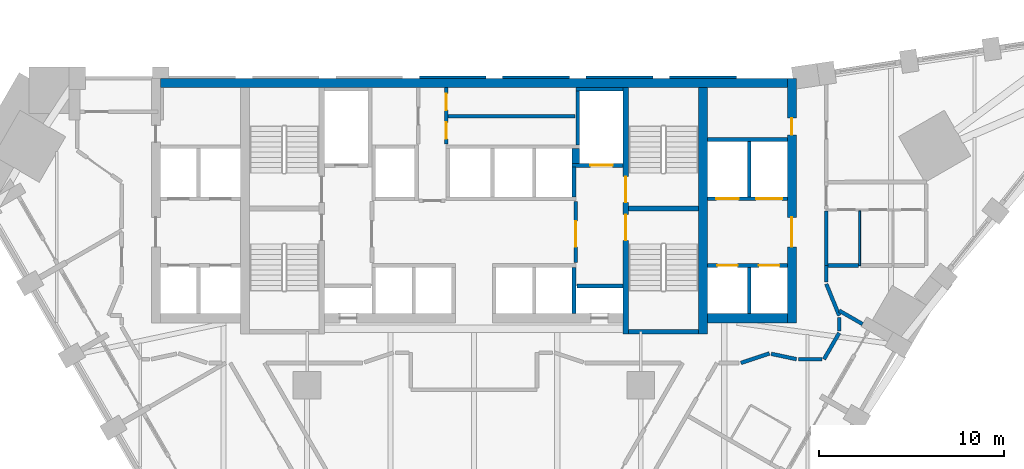
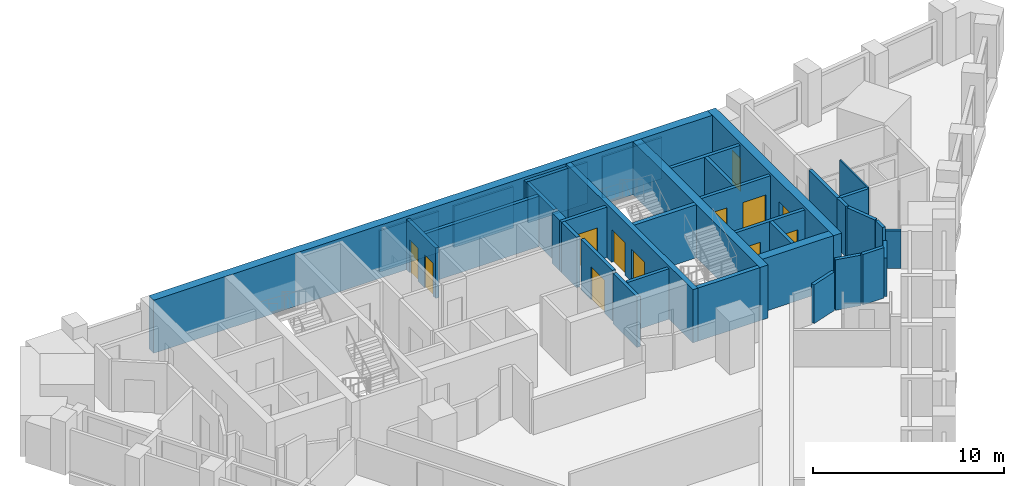
# One storey, part 8 of 11: 37 walls, 12 doors, 12 openings.
"""IFC4 building model written with IfcOpenShell, lengths in metres."""

from ifc_helpers import new_model, si_unit, direction, frame, frame_2d, origin, place, context, subcontext, project, spatial, polyline, rectangle, outline, extrude, material, layer, layer_set, type_object, element, fill, save


model = new_model("IFC4")

# Units and contexts
model_context = context("Model", 3, precision=1e-05, world=origin(), true_north=direction((0.0, 1.0)))
body_context = subcontext(model_context, "Body", "Model", "MODEL_VIEW")
ifc_project = project(units=[si_unit("LENGTHUNIT", "METRE"), si_unit("AREAUNIT", "SQUARE_METRE"), si_unit("VOLUMEUNIT", "CUBIC_METRE"), si_unit("PLANEANGLEUNIT", "RADIAN"), si_unit("MASSUNIT", "GRAM", prefix="KILO")], contexts=[model_context])

# Site, building, storey
site_placement = place(None, origin())
site = spatial("IfcSite", under=ifc_project, at=site_placement, CompositionType="ELEMENT")
building_placement = place(site_placement, origin())
building = spatial("IfcBuilding", under=site, at=building_placement, Name="Calabash Gate Tower", CompositionType="ELEMENT")
storey_placement = place(building_placement, frame((0.0, 0.0, 122.39990234375)))
storey = spatial("IfcBuildingStorey", under=building, at=storey_placement, Name="L28", CompositionType="ELEMENT", Elevation=122.39990234375)

# Walls
ifc_material_1 = material(Name="Concrete C80/95", Category="concrete")
ifc_layer_1 = layer(ifc_material_1, 0.25)
ifc_layer_set_1 = layer_set([ifc_layer_1], Name="Core wall 250 Concrete C80/95")
wall_type_1 = type_object("IfcWallType", Name="Core wall 250 Concrete C80/95", PredefinedType="SHEAR", material=ifc_layer_set_1)
for number, where, z_axis, x_axis, name in (
    (1, (8.35009765625, 12.027587890625, 0.0), (0.0, 0.0, 1.0), (1.0, 0.0, 0.0), "Core wall Z2-MIDE L28"),
    (2, (8.35009765625, 5.377685546875, 0.0), (0.0, 0.0, 1.0), (1.0, 0.0, 0.0), "Core wall Z2-SSE L28"),
):
    element("IfcWall", number, at=place(storey_placement, frame(where, z_axis=z_axis, x_axis=x_axis)), inside=storey, type_object=wall_type_1, Name=name, PredefinedType="SHEAR", context=body_context, shape_type="SweptSolid", body=[
        extrude(rectangle(XDim=3.75, YDim=0.25, at=frame_2d((1.875, 0.0))), origin(), (0.0, 0.0, 1.0), 3.400146484375),
    ])

# Wall, openings, doors
ifc_material_2 = material(Name="Concrete C80/95", Category="concrete")
ifc_layer_2 = layer(ifc_material_2, 0.300048828125)
ifc_layer_set_2 = layer_set([ifc_layer_2], Name="Core wall 300 Concrete C80/95")
wall_type_2 = type_object("IfcWallType", Name="Core wall 300 Concrete C80/95", PredefinedType="SHEAR", material=ifc_layer_set_2)
wall_1_placement = place(storey_placement, frame((8.199951171875, 5.252685546875, 0.0), z_axis=(0.0, 0.0, 1.0), x_axis=(0.0, 1.0, 0.0)))
wall_1 = element("IfcWall", 3, at=wall_1_placement, inside=storey, type_object=wall_type_2, Name="Core wall Z2-PARTE L28", PredefinedType="SHEAR", context=body_context, shape_type="SweptSolid", body=[
    extrude(rectangle(XDim=13.2998046875, YDim=0.300048828125, at=frame_2d((6.64990234375, 0.0))), origin(), (0.0, 0.0, 1.0), 3.400146484375),
])
opening_1_placement = place(wall_1_placement, frame((7.10009765625, 0.0, 0.0)))
opening_1 = element("IfcOpeningElement", 4, at=opening_1_placement, cuts=wall_1, Name="Opening H8-015", PredefinedType="OPENING", context=body_context, shape_type="SweptSolid", body=[
    extrude(rectangle(XDim=1.39990234375, YDim=2.10009765625, at=frame_2d((0.699951171875, 1.050048828125))), frame((0.0, 0.159912109375, 0.0), z_axis=(0.0, -1.0, 0.0), x_axis=(1.0, 0.0, 0.0)), (0.0, 0.0, 1.0), 0.320068359375),
])
opening_2_placement = place(wall_1_placement, frame((5.050048828125, 0.0, 0.0)))
opening_2 = element("IfcOpeningElement", 5, at=opening_2_placement, cuts=wall_1, Name="Opening H8-016", PredefinedType="OPENING", context=body_context, shape_type="SweptSolid", body=[
    extrude(rectangle(XDim=1.39990234375, YDim=2.10009765625, at=frame_2d((0.699951171875, 1.050048828125))), frame((0.0, 0.159912109375, 0.0), z_axis=(0.0, -1.0, 0.0), x_axis=(1.0, 0.0, 0.0)), (0.0, 0.0, 1.0), 0.320068359375),
])
ifc_material_3 = material(Name="Steel fire door set with fire-resisting glazing", Category="steel")
door_type_1 = type_object("IfcDoorType", Name="Fire door D05 1400x2100 FD90", OperationType="NOTDEFINED", PredefinedType="DOOR", material=ifc_material_3)
door_1_placement = place(opening_1_placement, origin())
door_1 = element("IfcDoor", 6, at=door_1_placement, inside=storey, type_object=door_type_1, Name="Exit stair door ST3", OperationType="SINGLE_SWING_RIGHT", OverallHeight=2.10009765625, OverallWidth=1.39990234375, PredefinedType="DOOR", context=body_context, shape_type="SweptSolid", body=[
    extrude(rectangle(XDim=1.39990234375, YDim=2.10009765625, at=frame_2d((0.699951171875, 1.050048828125))), frame((0.0, 0.02490234375, 0.0), z_axis=(0.0, -1.0, 0.0), x_axis=(1.0, 0.0, 0.0)), (0.0, 0.0, 1.0), 0.050048828125),
])
fill(opening_1, door_1)
door_2_placement = place(opening_2_placement, origin())
door_2 = element("IfcDoor", 7, at=door_2_placement, inside=storey, type_object=door_type_1, Name="Exit stair door ST4", OperationType="SINGLE_SWING_LEFT", OverallHeight=2.10009765625, OverallWidth=1.39990234375, PredefinedType="DOOR", context=body_context, shape_type="SweptSolid", body=[
    extrude(rectangle(XDim=1.39990234375, YDim=2.10009765625, at=frame_2d((0.699951171875, 1.050048828125))), frame((0.0, 0.02490234375, 0.0), z_axis=(0.0, -1.0, 0.0), x_axis=(1.0, 0.0, 0.0)), (0.0, 0.0, 1.0), 0.050048828125),
])
fill(opening_2, door_2)

# Walls
ifc_material_4 = material(Name="Concrete C80/95", Category="concrete")
ifc_layer_3 = layer(ifc_material_4, 0.5)
ifc_layer_set_3 = layer_set([ifc_layer_3], Name="Core wall 500 Concrete C80/95")
wall_type_3 = type_object("IfcWallType", Name="Core wall 500 Concrete C80/95", PredefinedType="SHEAR", material=ifc_layer_set_3)
wall_2_placement = place(storey_placement, frame((-16.89990234375, 18.802490234375, 0.0), z_axis=(0.0, 0.0, 1.0), x_axis=(1.0, 0.0, 0.0)))
element("IfcWall", 8, at=wall_2_placement, inside=storey, type_object=wall_type_3, Name="Core wall Z2-N L28", PredefinedType="SHEAR", context=body_context, shape_type="SweptSolid", body=[
    extrude(rectangle(XDim=33.7998046875, YDim=0.5, at=frame_2d((16.89990234375, 0.0))), origin(), (0.0, 0.0, 1.0), 3.400146484375),
])
wall_3_placement = place(storey_placement, frame((12.35009765625, 5.252685546875, 0.0), z_axis=(0.0, 0.0, 1.0), x_axis=(0.0, 1.0, 0.0)))
element("IfcWall", 9, at=wall_3_placement, inside=storey, type_object=wall_type_3, Name="Core wall Z2-COLE L28", PredefinedType="SHEAR", context=body_context, shape_type="SweptSolid", body=[
    extrude(rectangle(XDim=13.2998046875, YDim=0.5, at=frame_2d((6.64990234375, 0.0))), origin(), (0.0, 0.0, 1.0), 3.400146484375),
])
wall_4_placement = place(storey_placement, frame((12.60009765625, 6.1025390625, 0.0), z_axis=(0.0, 0.0, 1.0), x_axis=(1.0, 0.0, 0.0)))
element("IfcWall", 10, at=wall_4_placement, inside=storey, type_object=wall_type_3, Name="Core wall Z2-SE L28", PredefinedType="SHEAR", context=body_context, shape_type="SweptSolid", body=[
    extrude(rectangle(XDim=4.2998046875, YDim=0.5, at=frame_2d((2.14990234375, 0.0))), origin(), (0.0, 0.0, 1.0), 3.400146484375),
])

# Wall, openings, doors
wall_5_placement = place(storey_placement, frame((17.14990234375, 5.8525390625, 0.0), z_axis=(0.0, 0.0, 1.0), x_axis=(0.0, 1.0, 0.0)))
wall_5 = element("IfcWall", 11, at=wall_5_placement, inside=storey, type_object=wall_type_3, Name="Core wall Z2-ENDE L28", PredefinedType="SHEAR", context=body_context, shape_type="SweptSolid", body=[
    extrude(rectangle(XDim=13.199951171875, YDim=0.5, at=frame_2d((6.60009765625, 0.0))), origin(), (0.0, 0.0, 1.0), 3.400146484375),
])
opening_3_placement = place(wall_5_placement, frame((4.10009765625, 0.0, 0.0)))
opening_3 = element("IfcOpeningElement", 12, at=opening_3_placement, cuts=wall_5, Name="Opening H8-002", PredefinedType="OPENING", context=body_context, shape_type="SweptSolid", body=[
    extrude(rectangle(XDim=1.60009765625, YDim=2.10009765625, at=frame_2d((0.800048828125, 1.050048828125))), frame((0.0, 0.260009765625, 0.0), z_axis=(0.0, -1.0, 0.0), x_axis=(1.0, 0.0, 0.0)), (0.0, 0.0, 1.0), 0.52001953125),
])
opening_4_placement = place(wall_5_placement, frame((10.14990234375, 0.0, 0.0)))
opening_4 = element("IfcOpeningElement", 13, at=opening_4_placement, cuts=wall_5, Name="Opening H8-001", PredefinedType="OPENING", context=body_context, shape_type="SweptSolid", body=[
    extrude(rectangle(XDim=0.89990234375, YDim=2.10009765625, at=frame_2d((0.449951171875, 1.050048828125))), frame((0.0, 0.260009765625, 0.0), z_axis=(0.0, -1.0, 0.0), x_axis=(1.0, 0.0, 0.0)), (0.0, 0.0, 1.0), 0.52001953125),
])
ifc_material_5 = material(Name="Steel fire door set with fire-resisting glazing", Category="steel")
door_type_2 = type_object("IfcDoorType", Name="Double fire door D08 1600x2100 FD60", OperationType="DOUBLE_DOOR_SINGLE_SWING", PredefinedType="DOOR", material=ifc_material_5)
door_3_placement = place(opening_3_placement, origin())
door_3 = element("IfcDoor", 14, at=door_3_placement, inside=storey, type_object=door_type_2, Name="Low-rise Lift Lobby E door", OperationType="DOUBLE_DOOR_SINGLE_SWING", OverallHeight=2.10009765625, OverallWidth=1.60009765625, PredefinedType="DOOR", context=body_context, shape_type="SweptSolid", body=[
    extrude(rectangle(XDim=1.60009765625, YDim=2.10009765625, at=frame_2d((0.800048828125, 1.050048828125))), frame((0.0, 0.02490234375, 0.0), z_axis=(0.0, -1.0, 0.0), x_axis=(1.0, 0.0, 0.0)), (0.0, 0.0, 1.0), 0.050048828125),
])
fill(opening_3, door_3)
ifc_material_6 = material(Name="Steel fire door set with fire-resisting glazing", Category="steel")
door_type_3 = type_object("IfcDoorType", Name="Fire door D06 900x2100 FD60", OperationType="NOTDEFINED", PredefinedType="DOOR", material=ifc_material_6)
door_4_placement = place(opening_4_placement, origin())
door_4 = element("IfcDoor", 15, at=door_4_placement, inside=storey, type_object=door_type_3, Name="Luggage Store door", OperationType="SINGLE_SWING_LEFT", OverallHeight=2.10009765625, OverallWidth=0.89990234375, PredefinedType="DOOR", context=body_context, shape_type="SweptSolid", body=[
    extrude(rectangle(XDim=0.89990234375, YDim=2.10009765625, at=frame_2d((0.449951171875, 1.050048828125))), frame((0.0, 0.02490234375, 0.0), z_axis=(0.0, -1.0, 0.0), x_axis=(1.0, 0.0, 0.0)), (0.0, 0.0, 1.0), 0.050048828125),
])
fill(opening_4, door_4)

# Walls
ifc_material_7 = material(Name="Gypsum board on steel studs, mineral wool", Category="steel")
ifc_layer_4 = layer(ifc_material_7, 0.10009765625)
ifc_layer_set_4 = layer_set([ifc_layer_4], Name="Partition 100 gypsum board")
wall_type_4 = type_object("IfcWallType", Name="Partition 100 gypsum board", PredefinedType="PARTITIONING", material=ifc_layer_set_4)
wall_6_placement = place(storey_placement, frame((20.80029296875, 8.952880859375, 0.0), z_axis=(0.0, 0.0, 1.0), x_axis=(0.000579710048, 0.999999831968, 0.0)))
element("IfcWall", 16, at=wall_6_placement, inside=storey, type_object=wall_type_4, Name="Partition", PredefinedType="PARTITIONING", context=body_context, shape_type="SweptSolid", body=[
    extrude(rectangle(XDim=2.947998046875, YDim=0.10009765625, at=frame_2d((1.47412109375, 0.0))), origin(), (0.0, 0.0, 1.0), 3.22998046875),
])
ifc_material_8 = material(Name="Gypsum board on steel studs, mineral wool", Category="steel")
ifc_layer_5 = layer(ifc_material_8, 0.199951171875)
ifc_layer_set_5 = layer_set([ifc_layer_5], Name="Partition 200 gypsum board EI 60")
wall_type_5 = type_object("IfcWallType", Name="Partition 200 gypsum board EI 60", PredefinedType="PARTITIONING", material=ifc_layer_set_5)
wall_7_placement = place(storey_placement, frame((14.400146484375, 3.699462890625, 0.0), z_axis=(0.0, 0.0, 1.0), x_axis=(0.948653110684, 0.316318313712, 0.0)))
element("IfcWall", 17, at=wall_7_placement, inside=storey, type_object=wall_type_5, Name="Partition", PredefinedType="PARTITIONING", context=body_context, shape_type="SweptSolid", body=[
    extrude(rectangle(XDim=1.61767578125, YDim=0.199951171875, at=frame_2d((0.808837890625, 0.0))), origin(), (0.0, 0.0, 1.0), 2.4736328125),
])
wall_8_placement = place(storey_placement, frame((17.5, 3.8994140625, 0.0), z_axis=(0.0, 0.0, 1.0), x_axis=(0.99999998188, 0.000190367406, 0.0)))
element("IfcWall", 18, at=wall_8_placement, inside=storey, type_object=wall_type_5, Name="Partition", PredefinedType="PARTITIONING", context=body_context, shape_type="SweptSolid", body=[
    extrude(rectangle(XDim=1.282470703125, YDim=0.199951171875, at=frame_2d((0.64111328125, 0.0))), origin(), (0.0, 0.0, 1.0), 3.22998046875),
])
wall_9_placement = place(storey_placement, frame((18.88232421875, 3.899658203125, 0.0), z_axis=(0.0, 0.0, 1.0), x_axis=(0.500071224646, 0.865984278311, 0.0)))
element("IfcWall", 19, at=wall_9_placement, inside=storey, type_object=wall_type_5, Name="Partition", PredefinedType="PARTITIONING", context=body_context, shape_type="SweptSolid", body=[
    extrude(rectangle(XDim=1.635986328125, YDim=0.199951171875, at=frame_2d((0.81787109375, 0.0))), origin(), (0.0, 0.0, 1.0), 2.4501953125),
])
wall_10_placement = place(storey_placement, frame((16.03271484375, 4.190185546875, 0.0), z_axis=(0.0, 0.0, 1.0), x_axis=(0.978123323974, -0.208025871224, 0.0)))
element("IfcWall", 20, at=wall_10_placement, inside=storey, type_object=wall_type_5, Name="Partition", PredefinedType="PARTITIONING", context=body_context, shape_type="SweptSolid", body=[
    extrude(rectangle(XDim=1.397705078125, YDim=0.199951171875, at=frame_2d((0.69873046875, 0.0))), origin(), (0.0, 0.0, 1.0), 3.22998046875),
])
wall_11_placement = place(storey_placement, frame((19.700439453125, 5.41650390625, 0.0), z_axis=(0.0, 0.0, 1.0), x_axis=(0.0, 1.0, 0.0)))
element("IfcWall", 21, at=wall_11_placement, inside=storey, type_object=wall_type_5, Name="Partition", PredefinedType="PARTITIONING", context=body_context, shape_type="SweptSolid", body=[
    extrude(rectangle(XDim=0.736083984375, YDim=0.199951171875, at=frame_2d((0.3681640625, 0.0))), origin(), (0.0, 0.0, 1.0), 3.22998046875),
])
wall_12_placement = place(storey_placement, frame((19.00732421875, 7.955322265625, 0.0), z_axis=(0.0, 0.0, 1.0), x_axis=(0.377039539336, -0.926197163555, 0.0)))
element("IfcWall", 22, at=wall_12_placement, inside=storey, type_object=wall_type_5, Name="Partition", PredefinedType="PARTITIONING", context=body_context, shape_type="SweptSolid", body=[
    extrude(rectangle(XDim=1.83837890625, YDim=0.199951171875, at=frame_2d((0.919189453125, 0.0))), origin(), (0.0, 0.0, 1.0), 3.22998046875),
])
wall_13_placement = place(storey_placement, frame((19.69970703125, 6.52001953125, 0.0), z_axis=(0.0, 0.0, 1.0), x_axis=(0.866582796781, -0.499033321856, 0.0)))
element("IfcWall", 23, at=wall_13_placement, inside=storey, type_object=wall_type_5, Name="Partition", PredefinedType="PARTITIONING", context=body_context, shape_type="SweptSolid", body=[
    extrude(rectangle(XDim=1.451904296875, YDim=0.199951171875, at=frame_2d((0.72607421875, 0.0))), origin(), (0.0, 0.0, 1.0), 2.38427734375),
])
wall_14_placement = place(storey_placement, frame((19.000732421875, 8.052734375, 0.0), z_axis=(0.0, 0.0, 1.0), x_axis=(0.001356850854, 0.999999079477, 0.0)))
element("IfcWall", 24, at=wall_14_placement, inside=storey, type_object=wall_type_5, Name="Partition", PredefinedType="PARTITIONING", context=body_context, shape_type="SweptSolid", body=[
    extrude(rectangle(XDim=0.899658203125, YDim=0.199951171875, at=frame_2d((0.44970703125, 0.0))), origin(), (0.0, 0.0, 1.0), 3.22998046875),
])
wall_15_placement = place(storey_placement, frame((19.10009765625, 8.952880859375, 0.0), z_axis=(0.0, 0.0, 1.0), x_axis=(0.999999605873, 0.000887836288, 0.0)))
element("IfcWall", 25, at=wall_15_placement, inside=storey, type_object=wall_type_5, Name="Partition", PredefinedType="PARTITIONING", context=body_context, shape_type="SweptSolid", body=[
    extrude(rectangle(XDim=1.64990234375, YDim=0.199951171875, at=frame_2d((0.824951171875, 0.0))), origin(), (0.0, 0.0, 1.0), 3.22998046875),
])
wall_16_placement = place(storey_placement, frame((19.000244140625, 8.952880859375, 0.0), z_axis=(0.0, 0.0, 1.0), x_axis=(0.000579374179, 0.999999832163, 0.0)))
element("IfcWall", 26, at=wall_16_placement, inside=storey, type_object=wall_type_5, Name="Partition", PredefinedType="PARTITIONING", context=body_context, shape_type="SweptSolid", body=[
    extrude(rectangle(XDim=2.94970703125, YDim=0.199951171875, at=frame_2d((1.474853515625, 0.0))), origin(), (0.0, 0.0, 1.0), 3.22998046875),
])
ifc_material_9 = material(Name="Concrete C40/50", Category="concrete")
ifc_layer_6 = layer(ifc_material_9, 0.199951171875)
ifc_layer_set_6 = layer_set([ifc_layer_6], Name="Shaft wall 200 Concrete C40/50")
wall_type_6 = type_object("IfcWallType", Name="Shaft wall 200 Concrete C40/50", PredefinedType="SOLIDWALL", material=ifc_layer_set_6)
for number, where, z_axis, x_axis, name in (
    (27, (5.39990234375, 6.3525390625, 0.0), (0.0, 0.0, 1.0), (0.0, 1.0, 0.0), "Shaft wall"),
    (28, (14.85009765625, 6.3525390625, 0.0), (0.0, 0.0, 1.0), (0.0, 1.0, 0.0), "Shaft wall"),
    (29, (5.550048828125, 7.8525390625, 0.0), (0.0, 0.0, 1.0), (1.0, 0.0, 0.0), "Shaft wall"),
):
    element("IfcWall", number, at=place(storey_placement, frame(where, z_axis=z_axis, x_axis=x_axis)), inside=storey, type_object=wall_type_6, Name=name, PredefinedType="SOLIDWALL", context=body_context, shape_type="SweptSolid", body=[
        extrude(rectangle(XDim=2.5, YDim=0.199951171875, at=frame_2d((1.25, 0.0))), origin(), (0.0, 0.0, 1.0), 3.22998046875),
    ])

# Wall, openings, doors
wall_17_placement = place(storey_placement, frame((12.60009765625, 8.95263671875, 0.0), z_axis=(0.0, 0.0, 1.0), x_axis=(1.0, 0.0, 0.0)))
wall_17 = element("IfcWall", 30, at=wall_17_placement, inside=storey, type_object=wall_type_6, Name="Shaft wall", PredefinedType="SOLIDWALL", context=body_context, shape_type="SweptSolid", body=[
    extrude(rectangle(XDim=4.2998046875, YDim=0.199951171875, at=frame_2d((2.14990234375, 0.0))), origin(), (0.0, 0.0, 1.0), 3.22998046875),
])
opening_5_placement = place(wall_17_placement, frame((0.52490234375, 0.0, 0.0)))
opening_5 = element("IfcOpeningElement", 31, at=opening_5_placement, cuts=wall_17, Name="Opening LD-LR5", PredefinedType="OPENING", context=body_context, shape_type="SweptSolid", body=[
    extrude(rectangle(XDim=1.10009765625, YDim=2.10009765625, at=frame_2d((0.550048828125, 1.050048828125))), frame((0.0, 0.10986328125, 0.0), z_axis=(0.0, -1.0, 0.0), x_axis=(1.0, 0.0, 0.0)), (0.0, 0.0, 1.0), 0.219970703125),
])
opening_6_placement = place(wall_17_placement, frame((2.77490234375, 0.0, 0.0)))
opening_6 = element("IfcOpeningElement", 32, at=opening_6_placement, cuts=wall_17, Name="Opening LD-LR6", PredefinedType="OPENING", context=body_context, shape_type="SweptSolid", body=[
    extrude(rectangle(XDim=1.10009765625, YDim=2.10009765625, at=frame_2d((0.550048828125, 1.050048828125))), frame((0.0, 0.10986328125, 0.0), z_axis=(0.0, -1.0, 0.0), x_axis=(1.0, 0.0, 0.0)), (0.0, 0.0, 1.0), 0.219970703125),
])
ifc_material_10 = material(Name="Stainless steel sliding door leaves", Category="steel")
door_type_4 = type_object("IfcDoorType", Name="Lift landing door LS1 1100x2100 FD90", OperationType="DOUBLE_DOOR_SLIDING", PredefinedType="DOOR", material=ifc_material_10)
door_5_placement = place(opening_5_placement, origin())
door_5 = element("IfcDoor", 33, at=door_5_placement, inside=storey, type_object=door_type_4, Name="Lift landing door LR5", OperationType="DOUBLE_DOOR_SLIDING", OverallHeight=2.10009765625, OverallWidth=1.10009765625, PredefinedType="DOOR", context=body_context, shape_type="SweptSolid", body=[
    extrude(rectangle(XDim=1.10009765625, YDim=2.10009765625, at=frame_2d((0.550048828125, 1.050048828125))), frame((0.0, 0.02490234375, 0.0), z_axis=(0.0, -1.0, 0.0), x_axis=(1.0, 0.0, 0.0)), (0.0, 0.0, 1.0), 0.050048828125),
])
fill(opening_5, door_5)
door_6_placement = place(opening_6_placement, origin())
door_6 = element("IfcDoor", 34, at=door_6_placement, inside=storey, type_object=door_type_4, Name="Lift landing door LR6", OperationType="DOUBLE_DOOR_SLIDING", OverallHeight=2.10009765625, OverallWidth=1.10009765625, PredefinedType="DOOR", context=body_context, shape_type="SweptSolid", body=[
    extrude(rectangle(XDim=1.10009765625, YDim=2.10009765625, at=frame_2d((0.550048828125, 1.050048828125))), frame((0.0, 0.02490234375, 0.0), z_axis=(0.0, -1.0, 0.0), x_axis=(1.0, 0.0, 0.0)), (0.0, 0.0, 1.0), 0.050048828125),
])
fill(opening_6, door_6)

# Wall, opening, door
wall_18_placement = place(storey_placement, frame((5.5, 9.1025390625, 0.0), z_axis=(0.0, 0.0, 1.0), x_axis=(0.0, 1.0, 0.0)))
wall_18 = element("IfcWall", 35, at=wall_18_placement, inside=storey, type_object=wall_type_6, Name="Shaft wall", PredefinedType="SOLIDWALL", context=body_context, shape_type="SweptSolid", body=[
    extrude(rectangle(XDim=3.300048828125, YDim=0.199951171875, at=frame_2d((1.64990234375, 0.0))), origin(), (0.0, 0.0, 1.0), 3.22998046875),
])
opening_7_placement = place(wall_18_placement, frame((0.85009765625, 0.0, 0.0)))
opening_7 = element("IfcOpeningElement", 36, at=opening_7_placement, cuts=wall_18, Name="Opening H8-006", PredefinedType="OPENING", context=body_context, shape_type="SweptSolid", body=[
    extrude(rectangle(XDim=1.39990234375, YDim=2.10009765625, at=frame_2d((0.699951171875, 1.050048828125))), frame((0.0, 0.10986328125, 0.0), z_axis=(0.0, -1.0, 0.0), x_axis=(1.0, 0.0, 0.0)), (0.0, 0.0, 1.0), 0.219970703125),
])
door_7_placement = place(opening_7_placement, origin())
door_7 = element("IfcDoor", 37, at=door_7_placement, inside=storey, type_object=door_type_1, Name="Firefighting Lobby E door", OperationType="SINGLE_SWING_LEFT", OverallHeight=2.10009765625, OverallWidth=1.39990234375, PredefinedType="DOOR", context=body_context, shape_type="SweptSolid", body=[
    extrude(rectangle(XDim=1.39990234375, YDim=2.10009765625, at=frame_2d((0.699951171875, 1.050048828125))), frame((0.0, 0.02490234375, 0.0), z_axis=(0.0, -1.0, 0.0), x_axis=(1.0, 0.0, 0.0)), (0.0, 0.0, 1.0), 0.050048828125),
])
fill(opening_7, door_7)

# Wall, openings, doors
wall_19_placement = place(storey_placement, frame((12.60009765625, 12.552490234375, 0.0), z_axis=(0.0, 0.0, 1.0), x_axis=(1.0, 0.0, 0.0)))
wall_19 = element("IfcWall", 38, at=wall_19_placement, inside=storey, type_object=wall_type_6, Name="Shaft wall", PredefinedType="SOLIDWALL", context=body_context, shape_type="SweptSolid", body=[
    extrude(rectangle(XDim=4.2998046875, YDim=0.199951171875, at=frame_2d((2.14990234375, 0.0))), origin(), (0.0, 0.0, 1.0), 3.22998046875),
])
opening_8_placement = place(wall_19_placement, frame((0.47509765625, 0.0, 0.0)))
opening_8 = element("IfcOpeningElement", 39, at=opening_8_placement, cuts=wall_19, Name="Opening LD-SL1", PredefinedType="OPENING", context=body_context, shape_type="SweptSolid", body=[
    extrude(rectangle(XDim=1.199951171875, YDim=2.10009765625, at=frame_2d((0.60009765625, 1.050048828125))), frame((0.0, 0.10986328125, 0.0), z_axis=(0.0, -1.0, 0.0), x_axis=(1.0, 0.0, 0.0)), (0.0, 0.0, 1.0), 0.219970703125),
])
opening_9_placement = place(wall_19_placement, frame((2.625, 0.0, 0.0)))
opening_9 = element("IfcOpeningElement", 40, at=opening_9_placement, cuts=wall_19, Name="Opening LD-GL1", PredefinedType="OPENING", context=body_context, shape_type="SweptSolid", body=[
    extrude(rectangle(XDim=1.39990234375, YDim=2.10009765625, at=frame_2d((0.699951171875, 1.050048828125))), frame((0.0, 0.10986328125, 0.0), z_axis=(0.0, -1.0, 0.0), x_axis=(1.0, 0.0, 0.0)), (0.0, 0.0, 1.0), 0.219970703125),
])
ifc_material_11 = material(Name="Stainless steel sliding door leaves", Category="steel")
door_type_5 = type_object("IfcDoorType", Name="Lift landing door LS3 1200x2100 FD90", OperationType="DOUBLE_DOOR_SLIDING", PredefinedType="DOOR", material=ifc_material_11)
door_8_placement = place(opening_8_placement, origin())
door_8 = element("IfcDoor", 41, at=door_8_placement, inside=storey, type_object=door_type_5, Name="Lift landing door SL1", OperationType="DOUBLE_DOOR_SLIDING", OverallHeight=2.10009765625, OverallWidth=1.199951171875, PredefinedType="DOOR", context=body_context, shape_type="SweptSolid", body=[
    extrude(rectangle(XDim=1.199951171875, YDim=2.10009765625, at=frame_2d((0.60009765625, 1.050048828125))), frame((0.0, 0.02490234375, 0.0), z_axis=(0.0, -1.0, 0.0), x_axis=(1.0, 0.0, 0.0)), (0.0, 0.0, 1.0), 0.050048828125),
])
fill(opening_8, door_8)
ifc_material_12 = material(Name="Stainless steel sliding door leaves", Category="steel")
door_type_6 = type_object("IfcDoorType", Name="Lift landing door LS4 1400x2100 FD90", OperationType="DOUBLE_DOOR_SLIDING", PredefinedType="DOOR", material=ifc_material_12)
door_9_placement = place(opening_9_placement, origin())
door_9 = element("IfcDoor", 42, at=door_9_placement, inside=storey, type_object=door_type_6, Name="Lift landing door GL1", OperationType="DOUBLE_DOOR_SLIDING", OverallHeight=2.10009765625, OverallWidth=1.39990234375, PredefinedType="DOOR", context=body_context, shape_type="SweptSolid", body=[
    extrude(rectangle(XDim=1.39990234375, YDim=2.10009765625, at=frame_2d((0.699951171875, 1.050048828125))), frame((0.0, 0.02490234375, 0.0), z_axis=(0.0, -1.0, 0.0), x_axis=(1.0, 0.0, 0.0)), (0.0, 0.0, 1.0), 0.050048828125),
])
fill(opening_9, door_9)

# Walls
wall_20_placement = place(storey_placement, frame((5.39990234375, 12.652587890625, 0.0), z_axis=(0.0, 0.0, 1.0), x_axis=(0.0, 1.0, 0.0)))
element("IfcWall", 43, at=wall_20_placement, inside=storey, type_object=wall_type_6, Name="Shaft wall", PredefinedType="SOLIDWALL", context=body_context, shape_type="SweptSolid", body=[
    extrude(rectangle(XDim=1.60009765625, YDim=0.199951171875, at=frame_2d((0.800048828125, 0.0))), origin(), (0.0, 0.0, 1.0), 3.22998046875),
])
wall_21_placement = place(storey_placement, frame((14.85009765625, 12.652587890625, 0.0), z_axis=(0.0, 0.0, 1.0), x_axis=(0.0, 1.0, 0.0)))
element("IfcWall", 44, at=wall_21_placement, inside=storey, type_object=wall_type_6, Name="Shaft wall", PredefinedType="SOLIDWALL", context=body_context, shape_type="SweptSolid", body=[
    extrude(rectangle(XDim=3.0, YDim=0.199951171875, at=frame_2d((1.5, 0.0))), origin(), (0.0, 0.0, 1.0), 3.22998046875),
])

# Wall, opening, door
wall_22_placement = place(storey_placement, frame((5.300048828125, 14.3525390625, 0.0), z_axis=(0.0, 0.0, 1.0), x_axis=(1.0, 0.0, 0.0)))
wall_22 = element("IfcWall", 45, at=wall_22_placement, inside=storey, type_object=wall_type_6, Name="Shaft wall", PredefinedType="SOLIDWALL", context=body_context, shape_type="SweptSolid", body=[
    extrude(rectangle(XDim=2.75, YDim=0.199951171875, at=frame_2d((1.375, 0.0))), origin(), (0.0, 0.0, 1.0), 3.22998046875),
])
opening_10_placement = place(wall_22_placement, frame((0.97509765625, 0.0, 0.0)))
opening_10 = element("IfcOpeningElement", 46, at=opening_10_placement, cuts=wall_22, Name="Opening LD-FF2", PredefinedType="OPENING", context=body_context, shape_type="SweptSolid", body=[
    extrude(rectangle(XDim=1.199951171875, YDim=2.10009765625, at=frame_2d((0.60009765625, 1.050048828125))), frame((0.0, 0.10986328125, 0.0), z_axis=(0.0, -1.0, 0.0), x_axis=(1.0, 0.0, 0.0)), (0.0, 0.0, 1.0), 0.219970703125),
])
door_10_placement = place(opening_10_placement, origin())
door_10 = element("IfcDoor", 47, at=door_10_placement, inside=storey, type_object=door_type_5, Name="Lift landing door FF2", OperationType="DOUBLE_DOOR_SLIDING", OverallHeight=2.10009765625, OverallWidth=1.199951171875, PredefinedType="DOOR", context=body_context, shape_type="SweptSolid", body=[
    extrude(rectangle(XDim=1.199951171875, YDim=2.10009765625, at=frame_2d((0.60009765625, 1.050048828125))), frame((0.0, 0.02490234375, 0.0), z_axis=(0.0, -1.0, 0.0), x_axis=(1.0, 0.0, 0.0)), (0.0, 0.0, 1.0), 0.050048828125),
])
fill(opening_10, door_10)

# Walls
wall_23_placement = place(storey_placement, frame((5.5, 14.45263671875, 0.0), z_axis=(0.0, 0.0, 1.0), x_axis=(0.0, 1.0, 0.0)))
element("IfcWall", 48, at=wall_23_placement, inside=storey, type_object=wall_type_6, Name="Shaft wall", PredefinedType="SOLIDWALL", context=body_context, shape_type="SweptSolid", body=[
    extrude(rectangle(XDim=0.800048828125, YDim=0.39990234375, at=frame_2d((0.39990234375, 0.0))), origin(), (0.0, 0.0, 1.0), 3.22998046875),
])
wall_24_placement = place(storey_placement, frame((5.60009765625, 15.45263671875, 0.0), z_axis=(0.0, 0.0, 1.0), x_axis=(0.0, 1.0, 0.0)))
element("IfcWall", 49, at=wall_24_placement, inside=storey, type_object=wall_type_6, Name="Shaft wall", PredefinedType="SOLIDWALL", context=body_context, shape_type="SweptSolid", body=[
    extrude(rectangle(XDim=2.89990234375, YDim=0.199951171875, at=frame_2d((1.449951171875, 0.0))), origin(), (0.0, 0.0, 1.0), 3.22998046875),
])

# Wall, openings, doors
wall_25_placement = place(storey_placement, frame((-1.5, 15.502685546875, 0.0), z_axis=(0.0, 0.0, 1.0), x_axis=(0.0, 1.0, 0.0)))
wall_25 = element("IfcWall", 50, at=wall_25_placement, inside=storey, type_object=wall_type_6, Name="Shaft wall", PredefinedType="SOLIDWALL", context=body_context, shape_type="SweptSolid", body=[
    extrude(rectangle(XDim=3.0498046875, YDim=0.199951171875, at=frame_2d((1.52490234375, 0.0))), origin(), (0.0, 0.0, 1.0), 3.22998046875),
])
opening_11_placement = place(wall_25_placement, frame((0.27490234375, 0.0, 0.0)))
opening_11 = element("IfcOpeningElement", 51, at=opening_11_placement, cuts=wall_25, Name="Opening H8-009", PredefinedType="OPENING", context=body_context, shape_type="SweptSolid", body=[
    extrude(rectangle(XDim=0.89990234375, YDim=2.10009765625, at=frame_2d((0.449951171875, 1.050048828125))), frame((0.0, 0.10986328125, 0.0), z_axis=(0.0, -1.0, 0.0), x_axis=(1.0, 0.0, 0.0)), (0.0, 0.0, 1.0), 0.219970703125),
])
opening_12_placement = place(wall_25_placement, frame((1.824951171875, 0.0, 0.0)))
opening_12 = element("IfcOpeningElement", 52, at=opening_12_placement, cuts=wall_25, Name="Opening H8-010", PredefinedType="OPENING", context=body_context, shape_type="SweptSolid", body=[
    extrude(rectangle(XDim=0.89990234375, YDim=2.10009765625, at=frame_2d((0.449951171875, 1.050048828125))), frame((0.0, 0.10986328125, 0.0), z_axis=(0.0, -1.0, 0.0), x_axis=(1.0, 0.0, 0.0)), (0.0, 0.0, 1.0), 0.219970703125),
])
door_11_placement = place(opening_11_placement, origin())
door_11 = element("IfcDoor", 53, at=door_11_placement, inside=storey, type_object=door_type_3, Name="Ice and Vending door", OperationType="SINGLE_SWING_LEFT", OverallHeight=2.10009765625, OverallWidth=0.89990234375, PredefinedType="DOOR", context=body_context, shape_type="SweptSolid", body=[
    extrude(rectangle(XDim=0.89990234375, YDim=2.10009765625, at=frame_2d((0.449951171875, 1.050048828125))), frame((0.0, 0.02490234375, 0.0), z_axis=(0.0, -1.0, 0.0), x_axis=(1.0, 0.0, 0.0)), (0.0, 0.0, 1.0), 0.050048828125),
])
fill(opening_11, door_11)
door_12_placement = place(opening_12_placement, origin())
door_12 = element("IfcDoor", 54, at=door_12_placement, inside=storey, type_object=door_type_3, Name="Cleaner's Store door", OperationType="SINGLE_SWING_LEFT", OverallHeight=2.10009765625, OverallWidth=0.89990234375, PredefinedType="DOOR", context=body_context, shape_type="SweptSolid", body=[
    extrude(rectangle(XDim=0.89990234375, YDim=2.10009765625, at=frame_2d((0.449951171875, 1.050048828125))), frame((0.0, 0.02490234375, 0.0), z_axis=(0.0, -1.0, 0.0), x_axis=(1.0, 0.0, 0.0)), (0.0, 0.0, 1.0), 0.050048828125),
])
fill(opening_12, door_12)

# Walls
wall_26_placement = place(storey_placement, frame((12.60009765625, 15.752685546875, 0.0), z_axis=(0.0, 0.0, 1.0), x_axis=(1.0, 0.0, 0.0)))
element("IfcWall", 55, at=wall_26_placement, inside=storey, type_object=wall_type_6, Name="Shaft wall", PredefinedType="SOLIDWALL", context=body_context, shape_type="SweptSolid", body=[
    extrude(rectangle(XDim=4.2998046875, YDim=0.199951171875, at=frame_2d((2.14990234375, 0.0))), origin(), (0.0, 0.0, 1.0), 3.22998046875),
])
wall_27_placement = place(storey_placement, frame((-1.39990234375, 17.002685546875, 0.0), z_axis=(0.0, 0.0, 1.0), x_axis=(1.0, 0.0, 0.0)))
element("IfcWall", 56, at=wall_27_placement, inside=storey, type_object=wall_type_6, Name="Shaft wall", PredefinedType="SOLIDWALL", context=body_context, shape_type="SweptSolid", body=[
    extrude(rectangle(XDim=6.849853515625, YDim=0.199951171875, at=frame_2d((3.4248046875, 0.0))), origin(), (0.0, 0.0, 1.0), 3.22998046875),
])
wall_28_placement = place(storey_placement, frame((5.5, 18.45263671875, 0.0), z_axis=(0.0, 0.0, 1.0), x_axis=(1.0, 0.0, 0.0)))
element("IfcWall", 57, at=wall_28_placement, inside=storey, type_object=wall_type_6, Name="Shaft wall", PredefinedType="SOLIDWALL", context=body_context, shape_type="SweptSolid", body=[
    extrude(rectangle(XDim=2.550048828125, YDim=0.199951171875, at=frame_2d((1.27490234375, 0.0))), origin(), (0.0, 0.0, 1.0), 3.22998046875),
])
ifc_material_13 = material(Name="Terracotta brick masonry, perforated", Category="masonry")
ifc_layer_7 = layer(ifc_material_13, 0.1201171875)
ifc_layer_set_7 = layer_set([ifc_layer_7], Name="Terracotta jaali cladding B 120")
wall_type_7 = type_object("IfcWallType", Name="Terracotta jaali cladding B 120", PredefinedType="SOLIDWALL", material=ifc_layer_set_7)
wall_29_placement = place(storey_placement, origin())
element("IfcWall", 58, at=wall_29_placement, inside=storey, type_object=wall_type_7, Name="Jaali cladding S08 N6.1", PredefinedType="SOLIDWALL", context=body_context, shape_type="SweptSolid", body=[
    extrude(outline(polyline([(10.552978515625, 19.172607421875), (10.552978515625, 19.052490234375), (14.153076171875, 19.052490234375), (14.153076171875, 19.172607421875), (10.552978515625, 19.172607421875)])), origin(), (0.0, 0.0, 1.0), 2.650146484375),
])
wall_30_placement = place(storey_placement, origin())
element("IfcWall", 59, at=wall_30_placement, inside=storey, type_object=wall_type_7, Name="Jaali cladding S08 N6.3", PredefinedType="SOLIDWALL", context=body_context, shape_type="SweptSolid", body=[
    extrude(outline(polyline([(1.552978515625, 19.172607421875), (1.552978515625, 19.052490234375), (5.153076171875, 19.052490234375), (5.153076171875, 19.172607421875), (1.552978515625, 19.172607421875)])), origin(), (0.0, 0.0, 1.0), 2.650146484375),
])
ifc_material_14 = material(Name="Terracotta louvre blades in an aluminium frame", Category="masonry")
ifc_layer_8 = layer(ifc_material_14, 0.1201171875)
ifc_layer_set_8 = layer_set([ifc_layer_8], Name="Terracotta vent louvre cladding 120")
wall_type_8 = type_object("IfcWallType", Name="Terracotta vent louvre cladding 120", PredefinedType="ELEMENTEDWALL", material=ifc_layer_set_8)
wall_31_placement = place(storey_placement, origin())
element("IfcWall", 60, at=wall_31_placement, inside=storey, type_object=wall_type_8, Name="Vent louvre cladding S08 N6.2", PredefinedType="ELEMENTEDWALL", context=body_context, shape_type="SweptSolid", body=[
    extrude(outline(polyline([(6.052978515625, 19.172607421875), (6.052978515625, 19.052490234375), (9.653076171875, 19.052490234375), (9.653076171875, 19.172607421875), (6.052978515625, 19.172607421875)])), origin(), (0.0, 0.0, 1.0), 2.650146484375),
])
wall_32_placement = place(storey_placement, origin())
element("IfcWall", 61, at=wall_32_placement, inside=storey, type_object=wall_type_8, Name="Vent louvre cladding S08 N6.4", PredefinedType="ELEMENTEDWALL", context=body_context, shape_type="SweptSolid", body=[
    extrude(outline(polyline([(-2.947021484375, 19.172607421875), (-2.947021484375, 19.052490234375), (0.653076171875, 19.052490234375), (0.653076171875, 19.172607421875), (-2.947021484375, 19.172607421875)])), origin(), (0.0, 0.0, 1.0), 2.650146484375),
])

save(model, "model.ifc")
